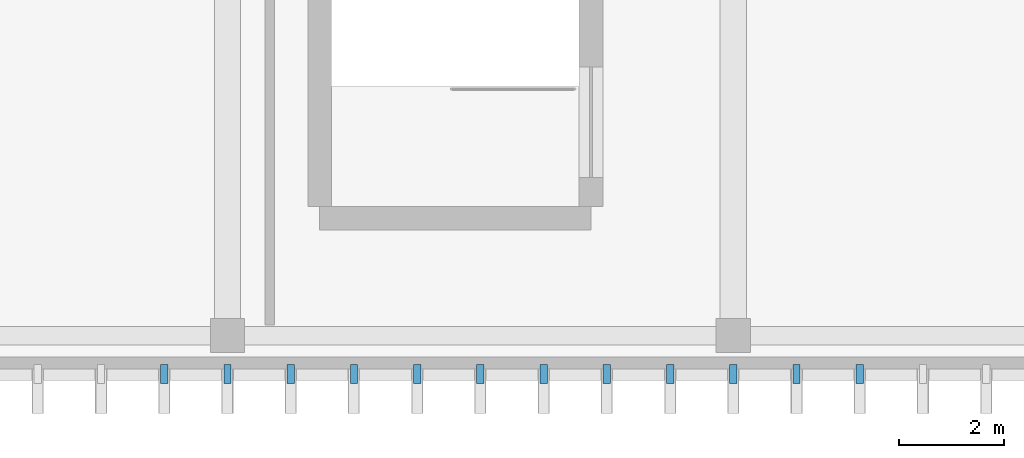
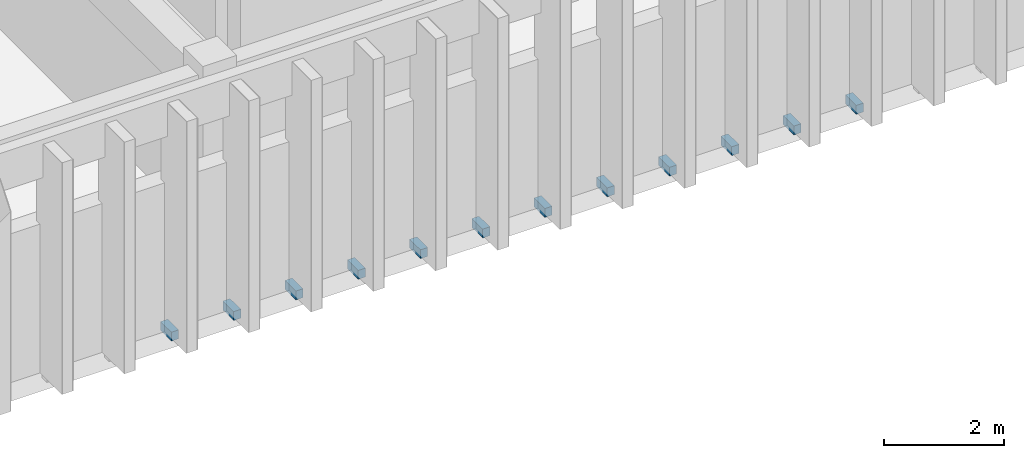
# One storey, part 85 of 101: 12 discrete accessories.
"""IFC4 building model written with IfcOpenShell, lengths in metres."""

from ifc_helpers import new_model, si_unit, direction, frame, origin, origin_2d, place, context, subcontext, project, spatial, rectangle, extrude, material, type_object, element, save


model = new_model("IFC4")

# Units and contexts
model_context = context("Model", 3, precision=1e-05, world=origin(), true_north=direction((0.0, 1.0)))
body_context = subcontext(model_context, "Body", "Model", "MODEL_VIEW")
ifc_project = project(units=[si_unit("LENGTHUNIT", "METRE"), si_unit("AREAUNIT", "SQUARE_METRE"), si_unit("VOLUMEUNIT", "CUBIC_METRE"), si_unit("PLANEANGLEUNIT", "RADIAN"), si_unit("MASSUNIT", "GRAM", prefix="KILO")], contexts=[model_context])

# Site, building, storey
site_placement = place(None, origin())
site = spatial("IfcSite", under=ifc_project, at=site_placement, CompositionType="ELEMENT")
building_placement = place(site_placement, origin())
building = spatial("IfcBuilding", under=site, at=building_placement, Name="Nakhvara Creek Congress Hotel", CompositionType="ELEMENT")
storey_placement = place(building_placement, frame((0.0, 0.0, 16.199951171875)))
storey = spatial("IfcBuildingStorey", under=building, at=storey_placement, Name="L03", CompositionType="ELEMENT", Elevation=16.199951171875)

# Discrete accessories
ifc_material = material(Name="Brushed stainless steel 316L", Category="steel")
discrete_accessory_type = type_object("IfcDiscreteAccessoryType", Name="ACC-BRK-SS316", PredefinedType="BRACKET", material=ifc_material)
for number, where, z_axis, x_axis, name in (
    (1, (114.0, 0.02001953125, -0.10986328125), (0.0, 0.0, 1.0), (1.0, 0.0, 0.0), "Stainless Fin Bracket BK01-0302"),
    (2, (115.199951171875, 0.02001953125, -0.10986328125), (0.0, 0.0, 1.0), (1.0, 0.0, 0.0), "Stainless Fin Bracket BK01-0303"),
    (3, (116.39990234375, 0.02001953125, -0.10986328125), (0.0, 0.0, 1.0), (1.0, 0.0, 0.0), "Stainless Fin Bracket BK01-0304"),
    (4, (117.60009765625, 0.02001953125, -0.10986328125), (0.0, 0.0, 1.0), (1.0, 0.0, 0.0), "Stainless Fin Bracket BK01-0305"),
    (5, (118.800048828125, 0.02001953125, -0.10986328125), (0.0, 0.0, 1.0), (1.0, 0.0, 0.0), "Stainless Fin Bracket BK01-0306"),
    (6, (120.0, 0.02001953125, -0.10986328125), (0.0, 0.0, 1.0), (1.0, 0.0, 0.0), "Stainless Fin Bracket BK01-0307"),
    (7, (121.199951171875, 0.02001953125, -0.10986328125), (0.0, 0.0, 1.0), (1.0, 0.0, 0.0), "Stainless Fin Bracket BK01-0308"),
    (8, (122.39990234375, 0.02001953125, -0.10986328125), (0.0, 0.0, 1.0), (1.0, 0.0, 0.0), "Stainless Fin Bracket BK01-0309"),
    (9, (123.60009765625, 0.02001953125, -0.10986328125), (0.0, 0.0, 1.0), (1.0, 0.0, 0.0), "Stainless Fin Bracket BK01-0310"),
    (10, (124.800048828125, 0.02001953125, -0.10986328125), (0.0, 0.0, 1.0), (1.0, 0.0, 0.0), "Stainless Fin Bracket BK01-0311"),
    (11, (126.0, 0.02001953125, -0.10986328125), (0.0, 0.0, 1.0), (1.0, 0.0, 0.0), "Stainless Fin Bracket BK01-0312"),
    (12, (127.199951171875, 0.02001953125, -0.10986328125), (0.0, 0.0, 1.0), (1.0, 0.0, 0.0), "Stainless Fin Bracket BK01-0313"),
):
    element("IfcDiscreteAccessory", number, at=place(storey_placement, frame(where, z_axis=z_axis, x_axis=x_axis)), inside=storey, type_object=discrete_accessory_type, Name=name, PredefinedType="BRACKET", context=body_context, shape_type="SweptSolid", body=[
        extrude(rectangle(XDim=0.139892578125, YDim=0.360107421875, at=origin_2d()), origin(), (0.0, 0.0, 1.0), 0.179931640625),
    ])

save(model, "model.ifc")
